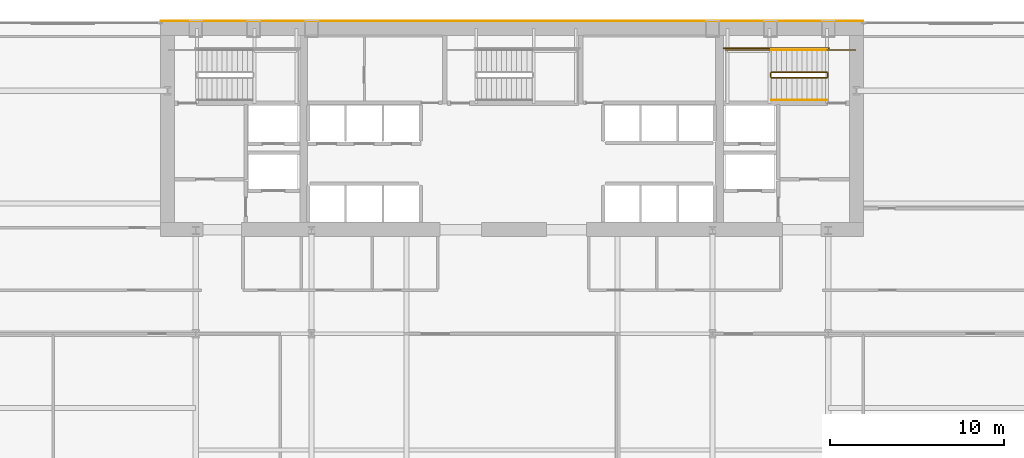
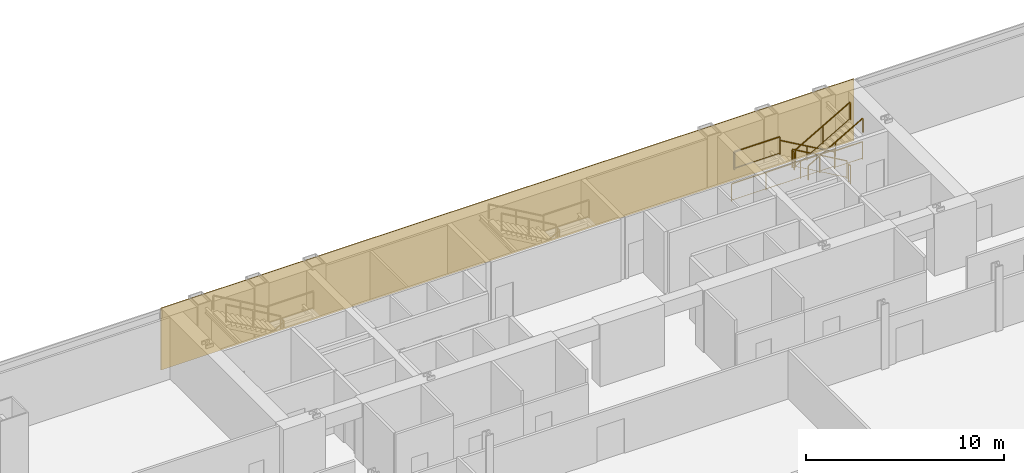
# One storey, part 31 of 32: 9 railings, 1 covering.
"""IFC4 building model written with IfcOpenShell, lengths in metres."""

import ifcopenshell
import ifcopenshell.guid

model = None  # the IFC model being written
_history = None  # IfcOwnerHistory: only IFC2X3 demands one
_inside = {}  # id of a spatial element -> (the spatial element, [elements in it])
_under = {}  # id of a project, library or spatial element -> (it, [spatial elements below it])
_declared = {}  # id of a project -> (the project, [libraries it declares])
_typed = {}  # id of a type object -> (the type object, [elements of that type])
_made_of = {}  # id of a material, layer set ... -> (it, [elements and type objects made of it])


def new_model(schema):
    """Start an empty IFC model of exactly this schema.

    Asked for "IFC4X3", IfcOpenShell would pick the latest addendum, in which some entities
    have other attributes; the version numbers below select the first issue.
    IFC2X3 requires an IfcOwnerHistory on every rooted entity: one is made here for all.
    """
    global model, _history
    if schema == "IFC4X3":
        model = ifcopenshell.file(schema_version=(4, 3, 0, 0))
    else:
        model = ifcopenshell.file(schema=schema)
    _inside.clear()
    _under.clear()
    _declared.clear()
    _typed.clear()
    _made_of.clear()
    _history = None
    if model.schema == "IFC2X3":
        org = make("IfcOrganization", Name="unknown")
        user = make(
            "IfcPersonAndOrganization",
            ThePerson=make("IfcPerson", FamilyName="unknown"),
            TheOrganization=org,
        )
        app = make(
            "IfcApplication",
            ApplicationDeveloper=org,
            Version="unknown",
            ApplicationFullName="unknown",
            ApplicationIdentifier="unknown",
        )
        _history = make(
            "IfcOwnerHistory",
            OwningUser=user,
            OwningApplication=app,
            ChangeAction="ADDED",
            CreationDate=0,
        )
    return model


def make(cls, **values):
    """One entity of the class cls with the attributes given. An attribute that is None is left unset."""
    return model.create_entity(
        cls, **{name: value for name, value in values.items() if value is not None}
    )


def rooted(cls, **values):
    """An entity with a GlobalId (a new one), such as an element, a storey or a relation."""
    return make(cls, GlobalId=ifcopenshell.guid.new(), OwnerHistory=_history, **values)


def si_unit(unit_type, name, prefix=None):
    """IfcSIUnit, for example si_unit("LENGTHUNIT", "METRE", prefix="MILLI")."""
    return make("IfcSIUnit", UnitType=unit_type, Prefix=prefix, Name=name)


def assignment(units):
    """IfcUnitAssignment: the units of a project."""
    return None if units is None else make("IfcUnitAssignment", Units=units)


def point(xyz):
    """IfcCartesianPoint."""
    return None if xyz is None else make("IfcCartesianPoint", Coordinates=xyz)


def direction(xyz):
    """IfcDirection."""
    return None if xyz is None else make("IfcDirection", DirectionRatios=xyz)


def frame(location, z_axis=None, x_axis=None):
    """IfcAxis2Placement3D, a coordinate frame: its origin and axes. An axis left out is left unset."""
    return make(
        "IfcAxis2Placement3D",
        Location=point(location),
        Axis=direction(z_axis),
        RefDirection=direction(x_axis),
    )


def frame_2d(location, x_axis=None):
    """IfcAxis2Placement2D, a coordinate frame in the plane: its origin and x axis."""
    return make(
        "IfcAxis2Placement2D", Location=point(location), RefDirection=direction(x_axis)
    )


def origin():
    """The frame at (0, 0, 0) with its axes left unset."""
    return frame((0.0, 0.0, 0.0))


def origin_2d():
    """The frame at (0, 0) in the plane with its x axis left unset."""
    return frame_2d((0.0, 0.0))


def place(relative_to, where):
    """IfcLocalPlacement: puts the frame where relative to a parent placement (None: the world)."""
    return make(
        "IfcLocalPlacement", PlacementRelTo=relative_to, RelativePlacement=where
    )


def context(
    kind, dimensions, precision=None, world=None, true_north=None, identifier=None
):
    """IfcGeometricRepresentationContext, for example the 3D "Model" context."""
    return make(
        "IfcGeometricRepresentationContext",
        ContextIdentifier=identifier,
        ContextType=kind,
        CoordinateSpaceDimension=dimensions,
        Precision=precision,
        WorldCoordinateSystem=world,
        TrueNorth=true_north,
    )


def subcontext(parent, identifier, kind, view, scale=None):
    """IfcGeometricRepresentationSubContext, for example "Body" below "Model"."""
    return make(
        "IfcGeometricRepresentationSubContext",
        ContextIdentifier=identifier,
        ContextType=kind,
        ParentContext=parent,
        TargetScale=scale,
        TargetView=view,
    )


def project(units=None, contexts=None):
    """IfcProject with its units and contexts."""
    return rooted(
        "IfcProject",
        Name="project",
        RepresentationContexts=contexts,
        UnitsInContext=assignment(units),
    )


def spatial(cls, under=None, at=None, **own):
    """A site, building, storey or space (cls), placed at a placement, below another one or the project."""
    s = rooted(cls, ObjectPlacement=at, **own)
    if under is not None:
        _under.setdefault(under.id(), (under, []))[1].append(s)
    return s


def polyline(points):
    """IfcPolyline through the points."""
    return make("IfcPolyline", Points=[point(p) for p in points])


def profile(cls, at=None, kind="AREA", **sizes):
    """A parametric profile (cls). Its sizes go by their IFC names, for example OverallWidth=200.0."""
    return make(cls, ProfileType=kind, Position=at, **sizes)


def rectangle(**sizes):
    """IfcRectangleProfileDef."""
    return profile("IfcRectangleProfileDef", **sizes)


def outline(outer, holes=None, kind="AREA"):
    """IfcArbitraryClosedProfileDef: a profile drawn as a closed curve; with holes, ...WithVoids."""
    if holes is None:
        return make("IfcArbitraryClosedProfileDef", ProfileType=kind, OuterCurve=outer)
    return make(
        "IfcArbitraryProfileDefWithVoids",
        ProfileType=kind,
        OuterCurve=outer,
        InnerCurves=holes,
    )


def extrude(swept, where, along, depth):
    """IfcExtrudedAreaSolid: the profile swept, set in the frame where, extruded along a direction by depth."""
    return make(
        "IfcExtrudedAreaSolid",
        SweptArea=swept,
        Position=where,
        ExtrudedDirection=direction(along),
        Depth=depth,
    )


def shape(context_of_items, identifier, shape_type, items):
    """IfcShapeRepresentation: the items that make up one representation, for example the "Body"."""
    return make(
        "IfcShapeRepresentation",
        ContextOfItems=context_of_items,
        RepresentationIdentifier=identifier,
        RepresentationType=shape_type,
        Items=items,
    )


def material(Name=None, Category=None):
    """IfcMaterial."""
    return make("IfcMaterial", Name=Name, Category=Category)


def layer(
    of_material, thickness, ventilated=None, Name=None, Category=None, Priority=None
):
    """IfcMaterialLayer: one layer of a wall or slab, of a material (None: an air gap)."""
    return make(
        "IfcMaterialLayer",
        Material=of_material,
        LayerThickness=thickness,
        IsVentilated=ventilated,
        Name=Name,
        Category=Category,
        Priority=Priority,
    )


def layer_set(layers, Name=None):
    """IfcMaterialLayerSet."""
    return make("IfcMaterialLayerSet", MaterialLayers=layers, LayerSetName=Name)


def made_of(thing, what):
    """Note that an element or type object is made of a material, layer set ...; save() writes the relation."""
    if what is not None:
        _made_of.setdefault(what.id(), (what, []))[1].append(thing)
    return thing


def type_object(cls, material=None, **own):
    """A type object (cls), such as IfcWallType, which elements share."""
    return made_of(rooted(cls, **own), material)


def element(
    cls,
    number,
    at=None,
    inside=None,
    cuts=None,
    type_object=None,
    material=None,
    context=None,
    identifier="Body",
    shape_type=None,
    held_by="IfcProductDefinitionShape",
    body=None,
    shapes=None,
    **own,
):
    """One element of the class cls, such as IfcWall. Its Tag is "e" and its number.

    at: its placement. inside: the storey or other place that contains it. cuts: it is an
    opening in that element (IfcRelVoidsElement). A single representation is given by context,
    identifier, shape_type and body (its items); several are given by shapes. held_by: the class
    of the entity that holds the representations. save() writes the other relations.
    """
    e = rooted(cls, Tag="e%d" % number, ObjectPlacement=at, **own)
    if body is not None:
        shapes = [shape(context, identifier, shape_type, body)]
    if shapes is not None:
        e.Representation = make(held_by, Representations=shapes)
    if inside is not None:
        _inside.setdefault(inside.id(), (inside, []))[1].append(e)
    if cuts is not None:
        rooted(
            "IfcRelVoidsElement", RelatingBuildingElement=cuts, RelatedOpeningElement=e
        )
    if type_object is not None:
        _typed.setdefault(type_object.id(), (type_object, []))[1].append(e)
    return made_of(e, material)


def aggregate(whole, parts):
    """IfcRelAggregates: a whole, such as a stair, and the parts it consists of."""
    return rooted("IfcRelAggregates", RelatingObject=whole, RelatedObjects=parts)


def save(model, path):
    """Write the relations noted so far, then the file.

    IfcRelAggregates (storeys below a building ...), IfcRelContainedInSpatialStructure (elements
    in a storey), IfcRelDefinesByType, IfcRelAssociatesMaterial and IfcRelDeclares: one each for
    every whole, place, type object, material and project.
    """
    for whole, parts in _under.values():
        aggregate(whole, parts)
    for where, things in _inside.values():
        rooted(
            "IfcRelContainedInSpatialStructure",
            RelatedElements=things,
            RelatingStructure=where,
        )
    for kind, things in _typed.values():
        rooted("IfcRelDefinesByType", RelatedObjects=things, RelatingType=kind)
    for what, things in _made_of.values():
        rooted("IfcRelAssociatesMaterial", RelatedObjects=things, RelatingMaterial=what)
    for by, libraries in _declared.values():
        rooted("IfcRelDeclares", RelatingContext=by, RelatedDefinitions=libraries)
    model.write(path)


model = new_model("IFC4")

# Units and contexts
model_context = context("Model", 3, precision=1e-05, world=origin(), true_north=direction((0.0, 1.0)))
body_context = subcontext(model_context, "Body", "Model", "MODEL_VIEW")
ifc_project = project(units=[si_unit("LENGTHUNIT", "METRE"), si_unit("AREAUNIT", "SQUARE_METRE"), si_unit("VOLUMEUNIT", "CUBIC_METRE"), si_unit("PLANEANGLEUNIT", "RADIAN"), si_unit("MASSUNIT", "GRAM", prefix="KILO")], contexts=[model_context])

# Site, building, storey
site_placement = place(None, origin())
site = spatial("IfcSite", under=ifc_project, at=site_placement, CompositionType="ELEMENT")
building_placement = place(site_placement, origin())
building = spatial("IfcBuilding", under=site, at=building_placement, Name="Khoronbel Lancet Exchange", CompositionType="ELEMENT")
storey_placement = place(building_placement, frame((0.0, 0.0, 29.800048828125)))
storey = spatial("IfcBuildingStorey", under=building, at=storey_placement, Name="L06", CompositionType="ELEMENT", Elevation=29.800048828125)

# Covering
ifc_material_1 = material(Name="Honed Egyptian Limestone & Bronze Rainscreen", Category="masonry")
ifc_layer = layer(ifc_material_1, 0.050048828125, Name="Honed Egyptian Limestone & Bronze Rainscreen")
ifc_layer_set = layer_set([ifc_layer], Name="Honed Egyptian Limestone & Bronze Rainscreen")
covering_type = type_object("IfcCoveringType", Name="COV-CLAD1", PredefinedType="CLADDING", material=ifc_layer_set)
covering_placement = place(storey_placement, origin())
element("IfcCovering", 1, at=covering_placement, inside=storey, type_object=covering_type, Name="Level L06 north rear-core stone and bronze rainscreen cladding", PredefinedType="CLADDING", context=body_context, shape_type="SweptSolid", body=[
    extrude(outline(polyline([(16.199951171875, 53.699951171875), (56.699951171875, 53.699951171875), (56.699951171875, 53.75), (16.199951171875, 53.75), (16.199951171875, 53.699951171875)])), origin(), (0.0, 0.0, 1.0), 3.820068359375),
])

# Railings
ifc_material_2 = material(Name="Painted Steel Balustrade", Category="steel")
railing_type_1 = type_object("IfcRailingType", Name="RL-STG110", PredefinedType="GUARDRAIL", material=ifc_material_2)
railing_1_placement = place(storey_placement, frame((54.60009765625, 50.77001953125, 0.16650390625)))
element("IfcRailing", 2, at=railing_1_placement, inside=storey, type_object=railing_type_1, Name="L06 ST2 stair guard 1", PredefinedType="GUARDRAIL", context=body_context, shape_type="SweptSolid", body=[
    extrude(rectangle(XDim=0.048095703125, YDim=0.048095703125, at=origin_2d()), frame((0.0, 0.0, 1.09619140625), z_axis=(-0.867007354286, 0.0, 0.498295341753), x_axis=(0.0, -1.0, 0.0)), (0.0, 0.0, 1.0), 3.679443359375),
    extrude(rectangle(XDim=0.02392578125, YDim=0.02392578125, at=origin_2d()), frame((0.0, 0.0, 0.080078125), z_axis=(-0.867007354286, 0.0, 0.498295341753), x_axis=(0.0, -1.0, 0.0)), (0.0, 0.0, 1.0), 3.679443359375),
    extrude(rectangle(XDim=0.0419921875, YDim=0.0419921875, at=origin_2d()), origin(), (0.0, 0.0, 1.0), 1.072021484375),
    extrude(rectangle(XDim=0.0419921875, YDim=0.0419921875, at=origin_2d()), frame((-1.59521484375, 0.0, 0.916748046875)), (0.0, 0.0, 1.0), 1.072021484375),
    extrude(rectangle(XDim=0.0419921875, YDim=0.0419921875, at=origin_2d()), frame((-3.190185546875, 0.0, 1.83349609375)), (0.0, 0.0, 1.0), 1.072021484375),
])
railing_2_placement = place(storey_placement, frame((51.360107421875, 50.719970703125, 2.0)))
element("IfcRailing", 3, at=railing_2_placement, inside=storey, type_object=railing_type_1, Name="L06 ST2 stair guard 2", PredefinedType="GUARDRAIL", context=body_context, shape_type="SweptSolid", body=[
    extrude(rectangle(XDim=0.048095703125, YDim=0.048095703125, at=origin_2d()), frame((0.0, 0.0, 1.09619140625), z_axis=(0.0, -1.0, 0.0), x_axis=(1.0, 0.0, 0.0)), (0.0, 0.0, 1.0), 0.219970703125),
    extrude(rectangle(XDim=0.02392578125, YDim=0.02392578125, at=origin_2d()), frame((0.0, 0.0, 0.080078125), z_axis=(0.0, -1.0, 0.0), x_axis=(1.0, 0.0, 0.0)), (0.0, 0.0, 1.0), 0.219970703125),
    extrude(rectangle(XDim=0.0419921875, YDim=0.0419921875, at=origin_2d()), origin(), (0.0, 0.0, 1.0), 1.072021484375),
    extrude(rectangle(XDim=0.0419921875, YDim=0.0419921875, at=origin_2d()), frame((0.0, -0.219970703125, 0.0)), (0.0, 0.0, 1.0), 1.072021484375),
])
railing_3_placement = place(storey_placement, frame((51.409912109375, 52.050048828125, 2.0)))
element("IfcRailing", 4, at=railing_3_placement, inside=storey, type_object=railing_type_1, Name="L06 ST2 stair guard 3", PredefinedType="GUARDRAIL", context=body_context, shape_type="SweptSolid", body=[
    extrude(rectangle(XDim=0.048095703125, YDim=0.048095703125, at=origin_2d()), frame((0.0, 0.0, 1.09619140625), z_axis=(-1.0, 0.0, 0.0), x_axis=(0.0, -1.0, 0.0)), (0.0, 0.0, 1.0), 2.659912109375),
    extrude(rectangle(XDim=0.02392578125, YDim=0.02392578125, at=origin_2d()), frame((0.0, 0.0, 0.080078125), z_axis=(-1.0, 0.0, 0.0), x_axis=(0.0, -1.0, 0.0)), (0.0, 0.0, 1.0), 2.659912109375),
    extrude(rectangle(XDim=0.0419921875, YDim=0.0419921875, at=origin_2d()), origin(), (0.0, 0.0, 1.0), 1.072021484375),
    extrude(rectangle(XDim=0.0419921875, YDim=0.0419921875, at=origin_2d()), frame((-2.659912109375, 0.0, 0.0)), (0.0, 0.0, 1.0), 1.072021484375),
])
railing_4_placement = place(storey_placement, frame((51.409912109375, 50.449951171875, 2.16650390625)))
element("IfcRailing", 5, at=railing_4_placement, inside=storey, type_object=railing_type_1, Name="L06 ST2 stair guard 4", PredefinedType="GUARDRAIL", context=body_context, shape_type="SweptSolid", body=[
    extrude(rectangle(XDim=0.048095703125, YDim=0.048095703125, at=origin_2d()), frame((0.0, 0.0, 1.09619140625), z_axis=(0.867007354286, 0.0, 0.498295341753), x_axis=(0.0, 1.0, 0.0)), (0.0, 0.0, 1.0), 3.679443359375),
    extrude(rectangle(XDim=0.02392578125, YDim=0.02392578125, at=origin_2d()), frame((0.0, 0.0, 0.080078125), z_axis=(0.867007354286, 0.0, 0.498295341753), x_axis=(0.0, 1.0, 0.0)), (0.0, 0.0, 1.0), 3.679443359375),
    extrude(rectangle(XDim=0.0419921875, YDim=0.0419921875, at=origin_2d()), origin(), (0.0, 0.0, 1.0), 1.072021484375),
    extrude(rectangle(XDim=0.0419921875, YDim=0.0419921875, at=origin_2d()), frame((1.59521484375, 0.0, 0.916748046875)), (0.0, 0.0, 1.0), 1.072021484375),
    extrude(rectangle(XDim=0.0419921875, YDim=0.0419921875, at=origin_2d()), frame((3.190185546875, 0.0, 1.83349609375)), (0.0, 0.0, 1.0), 1.072021484375),
])
railing_5_placement = place(storey_placement, frame((54.64990234375, 50.719970703125, 0.0)))
element("IfcRailing", 6, at=railing_5_placement, inside=storey, type_object=railing_type_1, Name="L06 ST2 stair guard 5", PredefinedType="GUARDRAIL", context=body_context, shape_type="SweptSolid", body=[
    extrude(rectangle(XDim=0.048095703125, YDim=0.048095703125, at=origin_2d()), frame((0.0, 0.0, 1.09619140625), z_axis=(0.0, -1.0, 0.0), x_axis=(1.0, 0.0, 0.0)), (0.0, 0.0, 1.0), 0.219970703125),
    extrude(rectangle(XDim=0.02392578125, YDim=0.02392578125, at=origin_2d()), frame((0.0, 0.0, 0.080078125), z_axis=(0.0, -1.0, 0.0), x_axis=(1.0, 0.0, 0.0)), (0.0, 0.0, 1.0), 0.219970703125),
    extrude(rectangle(XDim=0.0419921875, YDim=0.0419921875, at=origin_2d()), origin(), (0.0, 0.0, 1.0), 1.072021484375),
    extrude(rectangle(XDim=0.0419921875, YDim=0.0419921875, at=origin_2d()), frame((0.0, -0.219970703125, 0.0)), (0.0, 0.0, 1.0), 1.072021484375),
])
railing_6_placement = place(storey_placement, frame((56.25, 52.050048828125, 0.0)))
element("IfcRailing", 7, at=railing_6_placement, inside=storey, type_object=railing_type_1, Name="L06 ST2 stair guard 6", PredefinedType="GUARDRAIL", context=body_context, shape_type="SweptSolid", body=[
    extrude(rectangle(XDim=0.048095703125, YDim=0.048095703125, at=origin_2d()), frame((0.0, 0.0, 1.09619140625), z_axis=(-1.0, 0.0, 0.0), x_axis=(0.0, -1.0, 0.0)), (0.0, 0.0, 1.0), 1.64990234375),
    extrude(rectangle(XDim=0.02392578125, YDim=0.02392578125, at=origin_2d()), frame((0.0, 0.0, 0.080078125), z_axis=(-1.0, 0.0, 0.0), x_axis=(0.0, -1.0, 0.0)), (0.0, 0.0, 1.0), 1.64990234375),
    extrude(rectangle(XDim=0.0419921875, YDim=0.0419921875, at=origin_2d()), origin(), (0.0, 0.0, 1.0), 1.072021484375),
    extrude(rectangle(XDim=0.0419921875, YDim=0.0419921875, at=origin_2d()), frame((-1.64990234375, 0.0, 0.0)), (0.0, 0.0, 1.0), 1.072021484375),
])
railing_7_placement = place(storey_placement, frame((54.699951171875, 52.14990234375, 0.0)))
element("IfcRailing", 8, at=railing_7_placement, inside=storey, type_object=railing_type_1, Name="L06 ST2 stair guard 7", PredefinedType="GUARDRAIL", context=body_context, shape_type="SweptSolid", body=[
    extrude(rectangle(XDim=0.048095703125, YDim=0.048095703125, at=origin_2d()), frame((0.0, 0.0, 1.09619140625), z_axis=(-1.0, 0.0, 0.0), x_axis=(0.0, -1.0, 0.0)), (0.0, 0.0, 1.0), 6.050048828125),
    extrude(rectangle(XDim=0.02392578125, YDim=0.02392578125, at=origin_2d()), frame((0.0, 0.0, 0.080078125), z_axis=(-1.0, 0.0, 0.0), x_axis=(0.0, -1.0, 0.0)), (0.0, 0.0, 1.0), 6.050048828125),
    extrude(rectangle(XDim=0.0419921875, YDim=0.0419921875, at=origin_2d()), origin(), (0.0, 0.0, 1.0), 1.072021484375),
    extrude(rectangle(XDim=0.0419921875, YDim=0.0419921875, at=origin_2d()), frame((-2.0166015625, 0.0, 0.0)), (0.0, 0.0, 1.0), 1.072021484375),
    extrude(rectangle(XDim=0.0419921875, YDim=0.0419921875, at=origin_2d()), frame((-4.033447265625, 0.0, 0.0)), (0.0, 0.0, 1.0), 1.072021484375),
    extrude(rectangle(XDim=0.0419921875, YDim=0.0419921875, at=origin_2d()), frame((-6.050048828125, 0.0, 0.0)), (0.0, 0.0, 1.0), 1.072021484375),
])
ifc_material_3 = material(Name="Brushed Stainless Steel 316", Category="steel")
railing_type_2 = type_object("IfcRailingType", Name="RL-STH92", PredefinedType="HANDRAIL", material=ifc_material_3)
railing_8_placement = place(storey_placement, frame((54.60009765625, 52.050048828125, 0.16650390625)))
element("IfcRailing", 9, at=railing_8_placement, inside=storey, type_object=railing_type_2, Name="L06 ST2 stair handrail 1", PredefinedType="HANDRAIL", context=body_context, shape_type="SweptSolid", body=[
    extrude(rectangle(XDim=0.048095703125, YDim=0.048095703125, at=origin_2d()), frame((0.0, 0.0, 0.8759765625), z_axis=(-0.867007354286, 0.0, 0.498295341753), x_axis=(0.0, -1.0, 0.0)), (0.0, 0.0, 1.0), 3.679443359375),
    extrude(rectangle(XDim=0.0419921875, YDim=0.0419921875, at=origin_2d()), origin(), (0.0, 0.0, 1.0), 0.851806640625),
    extrude(rectangle(XDim=0.0419921875, YDim=0.0419921875, at=origin_2d()), frame((-1.59521484375, 0.0, 0.916748046875)), (0.0, 0.0, 1.0), 0.851806640625),
    extrude(rectangle(XDim=0.0419921875, YDim=0.0419921875, at=origin_2d()), frame((-3.190185546875, 0.0, 1.83349609375)), (0.0, 0.0, 1.0), 0.851806640625),
])
railing_9_placement = place(storey_placement, frame((51.409912109375, 49.169921875, 2.16650390625)))
element("IfcRailing", 10, at=railing_9_placement, inside=storey, type_object=railing_type_2, Name="L06 ST2 stair handrail 2", PredefinedType="HANDRAIL", context=body_context, shape_type="SweptSolid", body=[
    extrude(rectangle(XDim=0.048095703125, YDim=0.048095703125, at=origin_2d()), frame((0.0, 0.0, 0.8759765625), z_axis=(0.867007354286, 0.0, 0.498295341753), x_axis=(0.0, 1.0, 0.0)), (0.0, 0.0, 1.0), 3.679443359375),
    extrude(rectangle(XDim=0.0419921875, YDim=0.0419921875, at=origin_2d()), origin(), (0.0, 0.0, 1.0), 0.851806640625),
    extrude(rectangle(XDim=0.0419921875, YDim=0.0419921875, at=origin_2d()), frame((1.59521484375, 0.0, 0.916748046875)), (0.0, 0.0, 1.0), 0.851806640625),
    extrude(rectangle(XDim=0.0419921875, YDim=0.0419921875, at=origin_2d()), frame((3.190185546875, 0.0, 1.83349609375)), (0.0, 0.0, 1.0), 0.851806640625),
])

save(model, "model.ifc")
